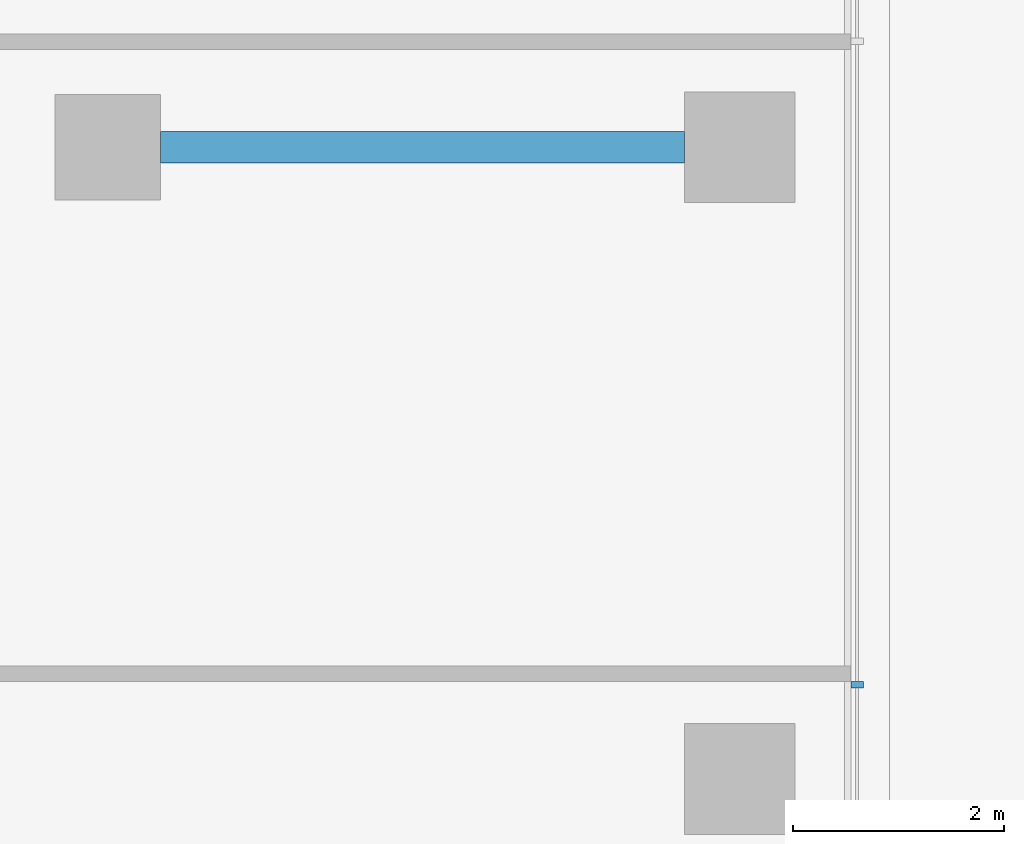
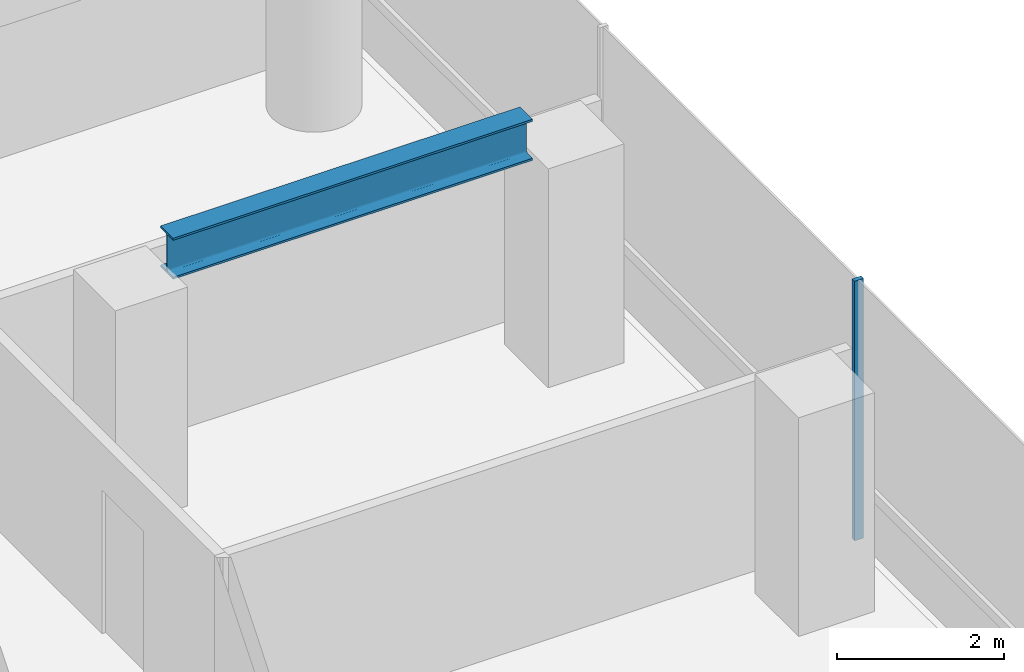
# One storey, part 18 of 30: 1 beam, 1 member, 1 element without a shape of its own.
"""IFC4 building model written with IfcOpenShell, lengths in metres."""

from ifc_helpers import new_model, si_unit, direction, frame, origin, origin_2d, place, context, subcontext, project, spatial, rectangle, i_section, extrude, material, layer, layer_set, material_profile, profile_set, type_object, element, aggregate, save


model = new_model("IFC4")

# Units and contexts
model_context = context("Model", 3, precision=1e-05, world=origin(), true_north=direction((0.0, 1.0)))
body_context = subcontext(model_context, "Body", "Model", "MODEL_VIEW")
ifc_project = project(units=[si_unit("LENGTHUNIT", "METRE"), si_unit("AREAUNIT", "SQUARE_METRE"), si_unit("VOLUMEUNIT", "CUBIC_METRE"), si_unit("PLANEANGLEUNIT", "RADIAN"), si_unit("MASSUNIT", "GRAM", prefix="KILO")], contexts=[model_context])

# Site, building, storey
site_placement = place(None, origin())
site = spatial("IfcSite", under=ifc_project, at=site_placement, CompositionType="ELEMENT")
building_placement = place(site_placement, origin())
building = spatial("IfcBuilding", under=site, at=building_placement, Name="Welwitschia Terrace Campus", CompositionType="ELEMENT")
storey_placement = place(building_placement, frame((0.0, 0.0, 75.199951171875)))
storey = spatial("IfcBuildingStorey", under=building, at=storey_placement, Name="L17", CompositionType="ELEMENT", Elevation=75.199951171875)

# Curtain wall, member
ifc_material_1 = material(Name="Bronze anodised aluminium", Category="aluminium")
ifc_layer = layer(ifc_material_1, 0.1201171875)
ifc_layer_set = layer_set([ifc_layer], Name="Bronze anodised aluminium")
curtain_wall_type = type_object("IfcCurtainWallType", Name="Curtain wall CW2 tower 6000", PredefinedType="NOTDEFINED", material=ifc_layer_set)
curtain_wall_placement = place(storey_placement, origin())
curtain_wall = element("IfcCurtainWall", 1, at=curtain_wall_placement, inside=storey, type_object=curtain_wall_type, Name="CW L17.12.0", PredefinedType="NOTDEFINED")
ifc_material_2 = material(Name="Bronze anodised aluminium", Category="aluminium")
ifc_material_profile_1 = material_profile(ifc_material_2, rectangle(XDim=0.1201171875, YDim=0.06005859375, at=origin_2d()))
ifc_profile_set_1 = profile_set([ifc_material_profile_1], Name="Bronze anodised aluminium")
member_type = type_object("IfcMemberType", Name="Mullion 60x120", PredefinedType="MULLION", material=ifc_profile_set_1)
member_placement = place(storey_placement, frame((25.114013671875, 50.896484375, 0.0), z_axis=(0.0, 0.0, 1.0), x_axis=(-1.0, 0.0, 0.0)))
member = element("IfcMember", 2, at=member_placement, type_object=member_type, Name="Mullion L17.12.0.4", PredefinedType="MULLION", context=body_context, shape_type="SweptSolid", body=[
    extrude(rectangle(XDim=0.1201171875, YDim=0.06005859375, at=origin_2d()), origin(), (0.0, 0.0, 1.0), 3.800048828125),
])
aggregate(curtain_wall, [member])

# Beam
ifc_material_3 = material(Name="Steel S355", Category="steel")
ifc_material_profile_2 = material_profile(ifc_material_3, i_section(OverallWidth=0.300048828125, OverallDepth=0.60009765625, WebThickness=0.015380859375, FlangeThickness=0.030029296875, FilletRadius=0.027099609375, at=origin_2d()))
ifc_profile_set_2 = profile_set([ifc_material_profile_2], Name="Steel S355")
beam_type = type_object("IfcBeamType", Name="Primary beam HE 600 B", PredefinedType="BEAM", material=ifc_profile_set_2)
beam_placement = place(storey_placement, frame((23.474609375, 56.0, 3.400146484375), z_axis=(-1.0, 0.0, 0.0), x_axis=(0.0, -1.0, 0.0)))
element("IfcBeam", 3, at=beam_placement, inside=storey, type_object=beam_type, Name="Primary beam PB2", PredefinedType="BEAM", context=body_context, shape_type="SweptSolid", body=[
    extrude(i_section(OverallWidth=0.300048828125, OverallDepth=0.60009765625, WebThickness=0.015380859375, FlangeThickness=0.030029296875, FilletRadius=0.027099609375, at=origin_2d()), origin(), (0.0, 0.0, 1.0), 4.97412109375),
])

save(model, "model.ifc")
